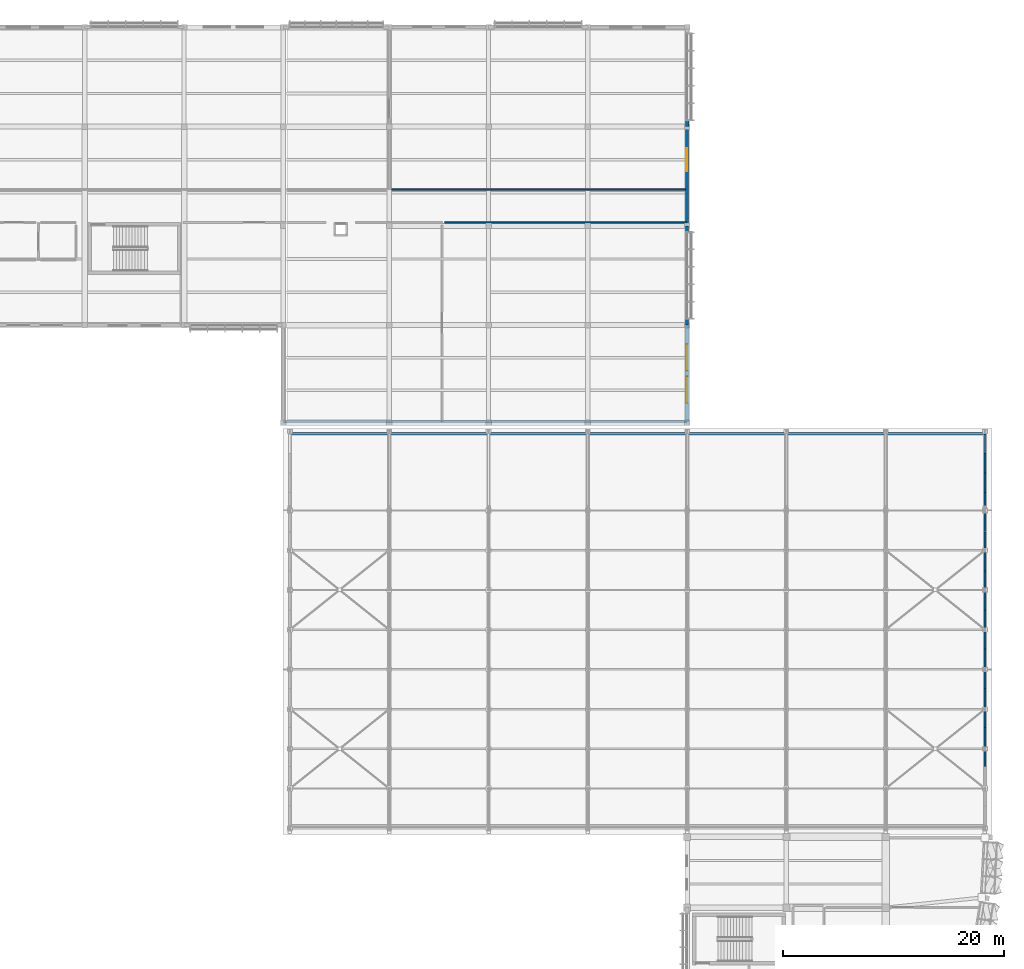
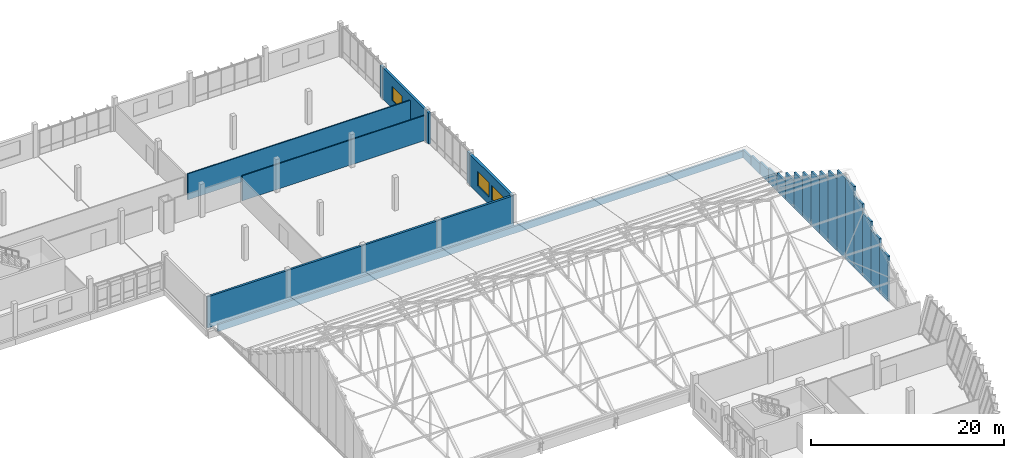
# One storey, part 173 of 182: 26 walls, 3 windows, 3 openings.
"""IFC4 building model written with IfcOpenShell, lengths in metres."""

from ifc_helpers import new_model, si_unit, direction, frame, frame_2d, origin, place, context, subcontext, project, spatial, rectangle, extrude, material, layer, layer_set, type_object, element, fill, save


model = new_model("IFC4")

# Units and contexts
model_context = context("Model", 3, precision=1e-05, world=origin(), true_north=direction((0.0, 1.0)))
body_context = subcontext(model_context, "Body", "Model", "MODEL_VIEW")
ifc_project = project(units=[si_unit("LENGTHUNIT", "METRE"), si_unit("AREAUNIT", "SQUARE_METRE"), si_unit("VOLUMEUNIT", "CUBIC_METRE"), si_unit("PLANEANGLEUNIT", "RADIAN"), si_unit("MASSUNIT", "GRAM", prefix="KILO")], contexts=[model_context])

# Site, building, storey
site_placement = place(None, origin())
site = spatial("IfcSite", under=ifc_project, at=site_placement, CompositionType="ELEMENT")
building_placement = place(site_placement, origin())
building = spatial("IfcBuilding", under=site, at=building_placement, Name="Chiffa Square Polytechnic", CompositionType="ELEMENT")
storey_placement = place(building_placement, frame((0.0, 0.0, 9.60009765625)))
storey = spatial("IfcBuildingStorey", under=building, at=storey_placement, Name="L02", CompositionType="ELEMENT", Elevation=9.60009765625)

# Walls
ifc_material_1 = material(Name="Precast concrete C40/50", Category="concrete")
ifc_layer_1 = layer(ifc_material_1, 0.219970703125, Name="Precast concrete C40/50")
ifc_layer_set_1 = layer_set([ifc_layer_1], Name="Precast concrete C40/50")
wall_type_1 = type_object("IfcWallType", Name="WL-EXT-PC220", PredefinedType="SOLIDWALL", material=ifc_layer_set_1)
wall_1_placement = place(storey_placement, frame((175.199951171875, 93.949951171875, 0.0), z_axis=(0.0, 0.0, 1.0), x_axis=(-1.0, 0.0, 0.0)))
element("IfcWall", 1, at=wall_1_placement, inside=storey, type_object=wall_type_1, Name="Workshop north shed eave wall WE-V2-L02-EAVE-N", PredefinedType="SOLIDWALL", context=body_context, shape_type="SweptSolid", body=[
    extrude(rectangle(XDim=63.0, YDim=0.219970703125, at=frame_2d((31.5, 0.0))), origin(), (0.0, 0.0, 1.0), 0.8798828125),
])
wall_2_placement = place(storey_placement, frame((175.199951171875, 63.77490234375, 0.0), z_axis=(0.0, 0.0, 1.0), x_axis=(0.0, 1.0, 0.0)))
element("IfcWall", 2, at=wall_2_placement, inside=storey, type_object=wall_type_1, Name="Stepped gable infill wall WE-V2-GBL-E-04", PredefinedType="SOLIDWALL", context=body_context, shape_type="SweptSolid", body=[
    extrude(rectangle(XDim=1.775146484375, YDim=0.219970703125, at=frame_2d((0.8876953125, 0.0))), origin(), (0.0, 0.0, 1.0), 5.751953125),
])
wall_3_placement = place(storey_placement, frame((175.199951171875, 65.550048828125, 0.0), z_axis=(0.0, 0.0, 1.0), x_axis=(0.0, 1.0, 0.0)))
element("IfcWall", 3, at=wall_3_placement, inside=storey, type_object=wall_type_1, Name="Stepped gable infill wall WE-V2-GBL-E-05", PredefinedType="SOLIDWALL", context=body_context, shape_type="SweptSolid", body=[
    extrude(rectangle(XDim=1.77490234375, YDim=0.219970703125, at=frame_2d((0.887451171875, 0.0))), origin(), (0.0, 0.0, 1.0), 6.87890625),
])
wall_4_placement = place(storey_placement, frame((175.199951171875, 67.324951171875, 0.0), z_axis=(0.0, 0.0, 1.0), x_axis=(0.0, 1.0, 0.0)))
element("IfcWall", 4, at=wall_4_placement, inside=storey, type_object=wall_type_1, Name="Stepped gable infill wall WE-V2-GBL-E-06", PredefinedType="SOLIDWALL", context=body_context, shape_type="SweptSolid", body=[
    extrude(rectangle(XDim=1.775146484375, YDim=0.219970703125, at=frame_2d((0.8876953125, 0.0))), origin(), (0.0, 0.0, 1.0), 8.0068359375),
])
wall_5_placement = place(storey_placement, frame((175.199951171875, 69.10009765625, 0.0), z_axis=(0.0, 0.0, 1.0), x_axis=(0.0, 1.0, 0.0)))
element("IfcWall", 5, at=wall_5_placement, inside=storey, type_object=wall_type_1, Name="Stepped gable infill wall WE-V2-GBL-E-07", PredefinedType="SOLIDWALL", context=body_context, shape_type="SweptSolid", body=[
    extrude(rectangle(XDim=1.77490234375, YDim=0.219970703125, at=frame_2d((0.887451171875, 0.0))), origin(), (0.0, 0.0, 1.0), 9.135009765625),
])
wall_6_placement = place(storey_placement, frame((175.199951171875, 70.875, 0.0), z_axis=(0.0, 0.0, 1.0), x_axis=(0.0, 1.0, 0.0)))
element("IfcWall", 6, at=wall_6_placement, inside=storey, type_object=wall_type_1, Name="Stepped gable infill wall WE-V2-GBL-E-08", PredefinedType="SOLIDWALL", context=body_context, shape_type="SweptSolid", body=[
    extrude(rectangle(XDim=1.77490234375, YDim=0.219970703125, at=frame_2d((0.887451171875, 0.0))), origin(), (0.0, 0.0, 1.0), 10.262939453125),
])
wall_7_placement = place(storey_placement, frame((175.199951171875, 72.64990234375, 0.0), z_axis=(0.0, 0.0, 1.0), x_axis=(0.0, 1.0, 0.0)))
element("IfcWall", 7, at=wall_7_placement, inside=storey, type_object=wall_type_1, Name="Stepped gable infill wall WE-V2-GBL-E-09", PredefinedType="SOLIDWALL", context=body_context, shape_type="SweptSolid", body=[
    extrude(rectangle(XDim=1.775146484375, YDim=0.219970703125, at=frame_2d((0.8876953125, 0.0))), origin(), (0.0, 0.0, 1.0), 10.199951171875),
])
wall_8_placement = place(storey_placement, frame((175.199951171875, 74.425048828125, 0.0), z_axis=(0.0, 0.0, 1.0), x_axis=(0.0, 1.0, 0.0)))
element("IfcWall", 8, at=wall_8_placement, inside=storey, type_object=wall_type_1, Name="Stepped gable infill wall WE-V2-GBL-E-10", PredefinedType="SOLIDWALL", context=body_context, shape_type="SweptSolid", body=[
    extrude(rectangle(XDim=1.77490234375, YDim=0.219970703125, at=frame_2d((0.887451171875, 0.0))), origin(), (0.0, 0.0, 1.0), 9.072021484375),
])
wall_9_placement = place(storey_placement, frame((175.199951171875, 76.199951171875, 0.0), z_axis=(0.0, 0.0, 1.0), x_axis=(0.0, 1.0, 0.0)))
element("IfcWall", 9, at=wall_9_placement, inside=storey, type_object=wall_type_1, Name="Stepped gable infill wall WE-V2-GBL-E-11", PredefinedType="SOLIDWALL", context=body_context, shape_type="SweptSolid", body=[
    extrude(rectangle(XDim=1.775146484375, YDim=0.219970703125, at=frame_2d((0.8876953125, 0.0))), origin(), (0.0, 0.0, 1.0), 7.94384765625),
])
wall_10_placement = place(storey_placement, frame((175.199951171875, 77.97509765625, 0.0), z_axis=(0.0, 0.0, 1.0), x_axis=(0.0, 1.0, 0.0)))
element("IfcWall", 10, at=wall_10_placement, inside=storey, type_object=wall_type_1, Name="Stepped gable infill wall WE-V2-GBL-E-12", PredefinedType="SOLIDWALL", context=body_context, shape_type="SweptSolid", body=[
    extrude(rectangle(XDim=1.77490234375, YDim=0.219970703125, at=frame_2d((0.887451171875, 0.0))), origin(), (0.0, 0.0, 1.0), 6.81591796875),
])
wall_11_placement = place(storey_placement, frame((175.199951171875, 79.75, 0.0), z_axis=(0.0, 0.0, 1.0), x_axis=(0.0, 1.0, 0.0)))
element("IfcWall", 11, at=wall_11_placement, inside=storey, type_object=wall_type_1, Name="Stepped gable infill wall WE-V2-GBL-E-13", PredefinedType="SOLIDWALL", context=body_context, shape_type="SweptSolid", body=[
    extrude(rectangle(XDim=1.77490234375, YDim=0.219970703125, at=frame_2d((0.887451171875, 0.0))), origin(), (0.0, 0.0, 1.0), 5.68798828125),
])
wall_12_placement = place(storey_placement, frame((175.199951171875, 81.52490234375, 0.0), z_axis=(0.0, 0.0, 1.0), x_axis=(0.0, 1.0, 0.0)))
element("IfcWall", 12, at=wall_12_placement, inside=storey, type_object=wall_type_1, Name="Stepped gable infill wall WE-V2-GBL-E-14", PredefinedType="SOLIDWALL", context=body_context, shape_type="SweptSolid", body=[
    extrude(rectangle(XDim=1.775146484375, YDim=0.219970703125, at=frame_2d((0.8876953125, 0.0))), origin(), (0.0, 0.0, 1.0), 4.559814453125),
])
wall_13_placement = place(storey_placement, frame((175.199951171875, 83.300048828125, 0.0), z_axis=(0.0, 0.0, 1.0), x_axis=(0.0, 1.0, 0.0)))
element("IfcWall", 13, at=wall_13_placement, inside=storey, type_object=wall_type_1, Name="Stepped gable infill wall WE-V2-GBL-E-15", PredefinedType="SOLIDWALL", context=body_context, shape_type="SweptSolid", body=[
    extrude(rectangle(XDim=1.77490234375, YDim=0.219970703125, at=frame_2d((0.887451171875, 0.0))), origin(), (0.0, 0.0, 1.0), 3.431884765625),
])
wall_14_placement = place(storey_placement, frame((175.199951171875, 85.074951171875, 0.0), z_axis=(0.0, 0.0, 1.0), x_axis=(0.0, 1.0, 0.0)))
element("IfcWall", 14, at=wall_14_placement, inside=storey, type_object=wall_type_1, Name="Stepped gable infill wall WE-V2-GBL-E-16", PredefinedType="SOLIDWALL", context=body_context, shape_type="SweptSolid", body=[
    extrude(rectangle(XDim=1.775146484375, YDim=0.219970703125, at=frame_2d((0.8876953125, 0.0))), origin(), (0.0, 0.0, 1.0), 2.303955078125),
])
wall_15_placement = place(storey_placement, frame((175.199951171875, 86.85009765625, 0.0), z_axis=(0.0, 0.0, 1.0), x_axis=(0.0, 1.0, 0.0)))
element("IfcWall", 15, at=wall_15_placement, inside=storey, type_object=wall_type_1, Name="Stepped gable infill wall WE-V2-GBL-E-17", PredefinedType="SOLIDWALL", context=body_context, shape_type="SweptSolid", body=[
    extrude(rectangle(XDim=1.77490234375, YDim=0.219970703125, at=frame_2d((0.887451171875, 0.0))), origin(), (0.0, 0.0, 1.0), 1.889892578125),
])
wall_16_placement = place(storey_placement, frame((175.199951171875, 88.625, 0.0), z_axis=(0.0, 0.0, 1.0), x_axis=(0.0, 1.0, 0.0)))
element("IfcWall", 16, at=wall_16_placement, inside=storey, type_object=wall_type_1, Name="Stepped gable infill wall WE-V2-GBL-E-18", PredefinedType="SOLIDWALL", context=body_context, shape_type="SweptSolid", body=[
    extrude(rectangle(XDim=1.77490234375, YDim=0.219970703125, at=frame_2d((0.887451171875, 0.0))), origin(), (0.0, 0.0, 1.0), 1.5888671875),
])
wall_17_placement = place(storey_placement, frame((175.199951171875, 90.39990234375, 0.0), z_axis=(0.0, 0.0, 1.0), x_axis=(0.0, 1.0, 0.0)))
element("IfcWall", 17, at=wall_17_placement, inside=storey, type_object=wall_type_1, Name="Stepped gable infill wall WE-V2-GBL-E-19", PredefinedType="SOLIDWALL", context=body_context, shape_type="SweptSolid", body=[
    extrude(rectangle(XDim=1.775146484375, YDim=0.219970703125, at=frame_2d((0.8876953125, 0.0))), origin(), (0.0, 0.0, 1.0), 1.287841796875),
])
wall_18_placement = place(storey_placement, frame((175.199951171875, 92.175048828125, 0.0), z_axis=(0.0, 0.0, 1.0), x_axis=(0.0, 1.0, 0.0)))
element("IfcWall", 18, at=wall_18_placement, inside=storey, type_object=wall_type_1, Name="Stepped gable infill wall WE-V2-GBL-E-20", PredefinedType="SOLIDWALL", context=body_context, shape_type="SweptSolid", body=[
    extrude(rectangle(XDim=1.77490234375, YDim=0.219970703125, at=frame_2d((0.887451171875, 0.0))), origin(), (0.0, 0.0, 1.0), 0.98681640625),
])
ifc_layer_2 = layer(ifc_material_1, 0.260009765625, Name="Precast concrete C40/50")
ifc_layer_set_2 = layer_set([ifc_layer_2], Name="Precast concrete C40/50")
wall_type_2 = type_object("IfcWallType", Name="WL-EXT-PC260", PredefinedType="SOLIDWALL", material=ifc_layer_set_2)
for number, where, z_axis, x_axis, name in (
    (19, (148.199951171875, 103.800048828125, 0.0), (0.0, 0.0, 1.0), (0.0, 1.0, 0.0), "Facade column pier V5-L02-0304L"),
    (20, (148.199951171875, 112.260009765625, 0.0), (0.0, 0.0, 1.0), (0.0, 1.0, 0.0), "Facade column pier V5-L02-0304R"),
):
    element("IfcWall", number, at=place(storey_placement, frame(where, z_axis=z_axis, x_axis=x_axis)), inside=storey, type_object=wall_type_2, Name=name, PredefinedType="SOLIDWALL", context=body_context, shape_type="SweptSolid", body=[
        extrude(rectangle(XDim=0.5400390625, YDim=0.260009765625, at=frame_2d((0.27001953125, 0.0))), origin(), (0.0, 0.0, 1.0), 3.93994140625),
    ])

# Wall, opening, window
ifc_layer_3 = layer(ifc_material_1, 0.280029296875, Name="Precast concrete C40/50")
ifc_layer_set_3 = layer_set([ifc_layer_3], Name="Precast concrete C40/50")
wall_type_3 = type_object("IfcWallType", Name="WL-EXT-PC280", PredefinedType="SOLIDWALL", material=ifc_layer_set_3)
wall_19_placement = place(storey_placement, frame((148.199951171875, 112.800048828125, 0.0), z_axis=(0.0, 0.0, 1.0), x_axis=(0.0, 1.0, 0.0)))
wall_19 = element("IfcWall", 21, at=wall_19_placement, inside=storey, type_object=wall_type_3, Name="Exterior wall WE-V5-L02-0305", PredefinedType="SOLIDWALL", context=body_context, shape_type="SweptSolid", body=[
    extrude(rectangle(XDim=9.0, YDim=0.280029296875, at=frame_2d((4.5, 0.0))), origin(), (0.0, 0.0, 1.0), 3.93994140625),
])
opening_1_placement = place(wall_19_placement, frame((4.949951171875, 0.0, 0.949951171875)))
opening_1 = element("IfcOpeningElement", 22, at=opening_1_placement, cuts=wall_19, Name="Opening W-03", PredefinedType="OPENING", context=body_context, shape_type="SweptSolid", body=[
    extrude(rectangle(XDim=2.10009765625, YDim=1.800048828125, at=frame_2d((1.050048828125, 0.89990234375))), frame((0.0, 0.14990234375, 0.0), z_axis=(0.0, -1.0, 0.0), x_axis=(1.0, 0.0, 0.0)), (0.0, 0.0, 1.0), 0.300048828125),
])
ifc_material_2 = material(Name="Double glazing in thermally broken aluminium frame", Category="aluminium")
window_type_1 = type_object("IfcWindowType", Name="WIN-LAB-2100X1800", PartitioningType="DOUBLE_PANEL_VERTICAL", PredefinedType="WINDOW", material=ifc_material_2)
window_1_placement = place(opening_1_placement, origin())
window_1 = element("IfcWindow", 23, at=window_1_placement, inside=storey, type_object=window_type_1, Name="Facade window WN-L02-0198", OverallHeight=1.800048828125, OverallWidth=2.10009765625, PartitioningType="DOUBLE_PANEL_VERTICAL", PredefinedType="WINDOW", context=body_context, shape_type="SweptSolid", body=[
    extrude(rectangle(XDim=2.10009765625, YDim=1.800048828125, at=frame_2d((1.050048828125, 0.89990234375))), frame((0.0, 0.030029296875, 0.0), z_axis=(0.0, -1.0, 0.0), x_axis=(1.0, 0.0, 0.0)), (0.0, 0.0, 1.0), 0.06005859375),
])
fill(opening_1, window_1)

# Wall, openings, windows
ifc_layer_4 = layer(ifc_material_1, 0.320068359375, Name="Precast concrete C40/50")
ifc_layer_set_4 = layer_set([ifc_layer_4], Name="Precast concrete C40/50")
wall_type_4 = type_object("IfcWallType", Name="WL-EXT-PC320", PredefinedType="SOLIDWALL", material=ifc_layer_set_4)
wall_20_placement = place(storey_placement, frame((148.199951171875, 95.050048828125, 0.0), z_axis=(0.0, 0.0, 1.0), x_axis=(0.0, 1.0, 0.0)))
wall_20 = element("IfcWall", 24, at=wall_20_placement, inside=storey, type_object=wall_type_4, Name="Exterior wall WE-V5-L02-0303", PredefinedType="SOLIDWALL", context=body_context, shape_type="SweptSolid", body=[
    extrude(rectangle(XDim=8.75, YDim=0.320068359375, at=frame_2d((4.375, 0.0))), origin(), (0.0, 0.0, 1.0), 3.93994140625),
])
opening_2_placement = place(wall_20_placement, frame((1.717041015625, 0.0, 0.949951171875)))
opening_2 = element("IfcOpeningElement", 25, at=opening_2_placement, cuts=wall_20, Name="Opening W-01", PredefinedType="OPENING", context=body_context, shape_type="SweptSolid", body=[
    extrude(rectangle(XDim=2.39990234375, YDim=1.800048828125, at=frame_2d((1.199951171875, 0.89990234375))), frame((0.0, 0.169921875, 0.0), z_axis=(0.0, -1.0, 0.0), x_axis=(1.0, 0.0, 0.0)), (0.0, 0.0, 1.0), 0.340087890625),
])
opening_3_placement = place(wall_20_placement, frame((4.633056640625, 0.0, 0.949951171875)))
opening_3 = element("IfcOpeningElement", 26, at=opening_3_placement, cuts=wall_20, Name="Opening W-01", PredefinedType="OPENING", context=body_context, shape_type="SweptSolid", body=[
    extrude(rectangle(XDim=2.39990234375, YDim=1.800048828125, at=frame_2d((1.199951171875, 0.89990234375))), frame((0.0, 0.169921875, 0.0), z_axis=(0.0, -1.0, 0.0), x_axis=(1.0, 0.0, 0.0)), (0.0, 0.0, 1.0), 0.340087890625),
])
window_type_2 = type_object("IfcWindowType", Name="WIN-LAB-2400X1800", PartitioningType="DOUBLE_PANEL_VERTICAL", PredefinedType="WINDOW", material=ifc_material_2)
window_2_placement = place(opening_2_placement, origin())
window_2 = element("IfcWindow", 27, at=window_2_placement, inside=storey, type_object=window_type_2, Name="Facade window WN-L02-0196", OverallHeight=1.800048828125, OverallWidth=2.39990234375, PartitioningType="DOUBLE_PANEL_VERTICAL", PredefinedType="WINDOW", context=body_context, shape_type="SweptSolid", body=[
    extrude(rectangle(XDim=2.39990234375, YDim=1.800048828125, at=frame_2d((1.199951171875, 0.89990234375))), frame((0.0, 0.030029296875, 0.0), z_axis=(0.0, -1.0, 0.0), x_axis=(1.0, 0.0, 0.0)), (0.0, 0.0, 1.0), 0.06005859375),
])
fill(opening_2, window_2)
window_3_placement = place(opening_3_placement, origin())
window_3 = element("IfcWindow", 28, at=window_3_placement, inside=storey, type_object=window_type_2, Name="Facade window WN-L02-0197", OverallHeight=1.800048828125, OverallWidth=2.39990234375, PartitioningType="DOUBLE_PANEL_VERTICAL", PredefinedType="WINDOW", context=body_context, shape_type="SweptSolid", body=[
    extrude(rectangle(XDim=2.39990234375, YDim=1.800048828125, at=frame_2d((1.199951171875, 0.89990234375))), frame((0.0, 0.030029296875, 0.0), z_axis=(0.0, -1.0, 0.0), x_axis=(1.0, 0.0, 0.0)), (0.0, 0.0, 1.0), 0.06005859375),
])
fill(opening_3, window_3)

# Walls
wall_21_placement = place(storey_placement, frame((148.199951171875, 121.800048828125, 0.0), z_axis=(0.0, 0.0, 1.0), x_axis=(0.0, 1.0, 0.0)))
element("IfcWall", 29, at=wall_21_placement, inside=storey, type_object=wall_type_4, Name="Facade column pier V5-L02-0306L", PredefinedType="SOLIDWALL", context=body_context, shape_type="SweptSolid", body=[
    extrude(rectangle(XDim=0.5400390625, YDim=0.320068359375, at=frame_2d((0.27001953125, 0.0))), origin(), (0.0, 0.0, 1.0), 3.93994140625),
])
ifc_material_3 = material(Name="Gypsum board on steel stud", Category="steel")
ifc_layer_5 = layer(ifc_material_3, 0.125, Name="Gypsum board on steel stud")
ifc_layer_set_5 = layer_set([ifc_layer_5], Name="Gypsum board on steel stud")
wall_type_5 = type_object("IfcWallType", Name="WL-PART-125", PredefinedType="PARTITIONING", material=ifc_layer_set_5)
wall_22_placement = place(storey_placement, frame((126.219970703125, 113.10009765625, 0.0), z_axis=(0.0, 0.0, 1.0), x_axis=(1.0, 0.0, 0.0)))
element("IfcWall", 30, at=wall_22_placement, inside=storey, type_object=wall_type_5, Name="Interior partition WP-V5-L02-0467", PredefinedType="PARTITIONING", context=body_context, shape_type="SweptSolid", body=[
    extrude(rectangle(XDim=21.925048828125, YDim=0.125, at=frame_2d((10.96240234375, 0.0))), origin(), (0.0, 0.0, 1.0), 3.1748046875),
])
ifc_layer_6 = layer(ifc_material_3, 0.135009765625, Name="Gypsum board on steel stud")
ifc_layer_set_6 = layer_set([ifc_layer_6], Name="Gypsum board on steel stud")
wall_type_6 = type_object("IfcWallType", Name="WL-PART-135", PredefinedType="PARTITIONING", material=ifc_layer_set_6)
wall_23_placement = place(storey_placement, frame((121.419921875, 116.10009765625, 0.0), z_axis=(0.0, 0.0, 1.0), x_axis=(1.0, 0.0, 0.0)))
element("IfcWall", 31, at=wall_23_placement, inside=storey, type_object=wall_type_6, Name="Interior partition WP-V5-L02-0466", PredefinedType="PARTITIONING", context=body_context, shape_type="SweptSolid", body=[
    extrude(rectangle(XDim=26.72509765625, YDim=0.135009765625, at=frame_2d((13.362548828125, 0.0))), origin(), (0.0, 0.0, 1.0), 3.27490234375),
])
ifc_material_4 = material(Name="Concrete C35/45", Category="concrete")
ifc_layer_7 = layer(ifc_material_4, 0.25, Name="Concrete C35/45")
ifc_layer_set_7 = layer_set([ifc_layer_7], Name="Concrete C35/45")
wall_type_7 = type_object("IfcWallType", Name="WL-SJ-250", PredefinedType="SHEAR", material=ifc_layer_set_7)
wall_24_placement = place(storey_placement, frame((111.60009765625, 95.050048828125, 0.0), z_axis=(0.0, 0.0, 1.0), x_axis=(1.0, 0.0, 0.0)))
element("IfcWall", 32, at=wall_24_placement, inside=storey, type_object=wall_type_7, Name="Seismic-joint fire wall WE-V5-L02-0302", PredefinedType="SHEAR", context=body_context, shape_type="SweptSolid", body=[
    extrude(rectangle(XDim=36.599853515625, YDim=0.25, at=frame_2d((18.2998046875, 0.0))), origin(), (0.0, 0.0, 1.0), 3.93994140625),
])

save(model, "model.ifc")
